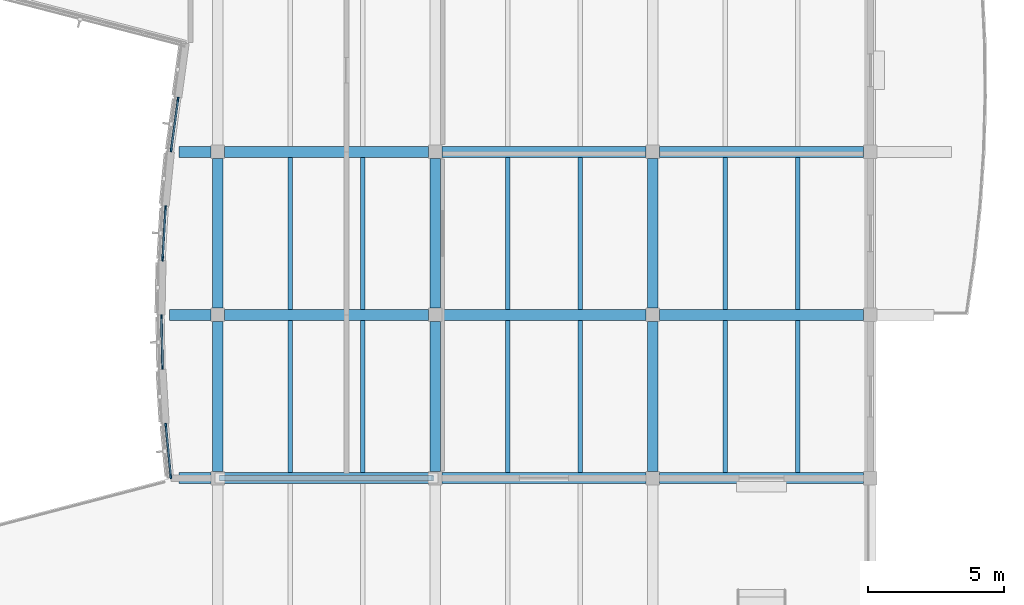
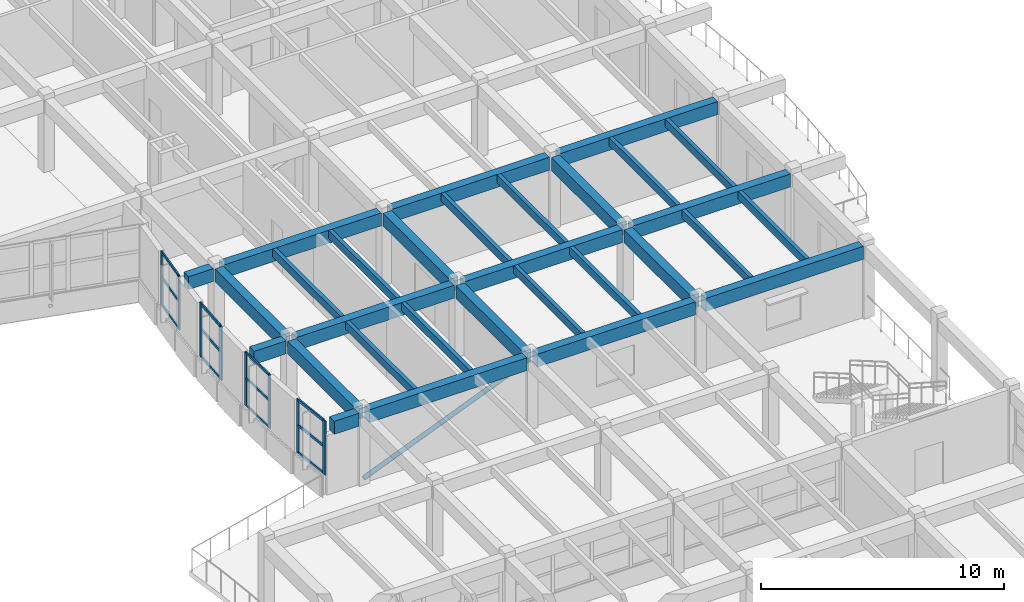
# One storey, part 9 of 89: 30 beams, 21 members, 4 elements without a shape of their own.
"""IFC4 building model written with IfcOpenShell, lengths in metres."""

from ifc_helpers import new_model, si_unit, direction, frame, origin, origin_2d, place, context, subcontext, project, spatial, rectangle, hollow_circle, extrude, material, layer, layer_set, material_profile, profile_set, type_object, element, aggregate, save


model = new_model("IFC4")

# Units and contexts
model_context = context("Model", 3, precision=1e-05, world=origin(), true_north=direction((0.0, 1.0)))
body_context = subcontext(model_context, "Body", "Model", "MODEL_VIEW")
ifc_project = project(units=[si_unit("LENGTHUNIT", "METRE"), si_unit("AREAUNIT", "SQUARE_METRE"), si_unit("VOLUMEUNIT", "CUBIC_METRE"), si_unit("PLANEANGLEUNIT", "RADIAN"), si_unit("MASSUNIT", "GRAM", prefix="KILO")], contexts=[model_context])

# Site, building, storey
site_placement = place(None, origin())
site = spatial("IfcSite", under=ifc_project, at=site_placement, CompositionType="ELEMENT")
building_placement = place(site_placement, origin())
building = spatial("IfcBuilding", under=site, at=building_placement, Name="Tonlespit Floodbar School", CompositionType="ELEMENT")
storey_placement = place(building_placement, frame((0.0, 0.0, 4.5)))
storey = spatial("IfcBuildingStorey", under=building, at=storey_placement, Name="L01", CompositionType="ELEMENT", Elevation=4.5)

# Beams
ifc_material_1 = material(Name="Concrete C40/50", Category="concrete")
ifc_material_profile_1 = material_profile(ifc_material_1, rectangle(XDim=0.39990234375, YDim=0.64990234375, at=origin_2d()), Name="RC 400x650")
ifc_profile_set_1 = profile_set([ifc_material_profile_1], Name="Concrete C40/50")
beam_type_1 = type_object("IfcBeamType", Name="Beam_RC_400x650", PredefinedType="BEAM", material=ifc_profile_set_1)
for number, where, z_axis, x_axis, name in (
    (1, (12.25, 38.0, 3.322998046875), (1.0, 0.0, 0.0), (0.0, 1.0, 0.0), "L01 girder 0562"),
    (2, (20.25, 38.0, 3.322998046875), (1.0, 0.0, 0.0), (0.0, 1.0, 0.0), "L01 girder 0563"),
    (3, (28.25, 38.0, 3.322998046875), (1.0, 0.0, 0.0), (0.0, 1.0, 0.0), "L01 girder 0564"),
    (4, (12.25, 44.0, 3.322998046875), (1.0, 0.0, 0.0), (0.0, 1.0, 0.0), "L01 girder 0565"),
    (5, (20.25, 44.0, 3.322998046875), (1.0, 0.0, 0.0), (0.0, 1.0, 0.0), "L01 girder 0566"),
    (6, (28.25, 44.0, 3.322998046875), (1.0, 0.0, 0.0), (0.0, 1.0, 0.0), "L01 girder 0567"),
    (7, (12.25, 50.0, 3.324951171875), (1.0, 0.0, 0.0), (0.0, 1.0, 0.0), "L01 girder 0568"),
    (8, (20.25, 50.0, 3.324951171875), (1.0, 0.0, 0.0), (0.0, 1.0, 0.0), "L01 girder 0569"),
    (9, (28.25, 50.0, 3.324951171875), (1.0, 0.0, 0.0), (0.0, 1.0, 0.0), "L01 girder 0570"),
):
    element("IfcBeam", number, at=place(storey_placement, frame(where, z_axis=z_axis, x_axis=x_axis)), inside=storey, type_object=beam_type_1, Name=name, PredefinedType="BEAM", context=body_context, shape_type="SweptSolid", body=[
        extrude(rectangle(XDim=0.39990234375, YDim=0.64990234375, at=origin_2d()), origin(), (0.0, 0.0, 1.0), 7.5),
    ])
for number, where, z_axis, x_axis, name in (
    (10, (12.0, 38.25, 3.322998046875), (0.0, 1.0, 0.0), (-1.0, 0.0, 0.0), "L01 girder 0679"),
    (11, (12.0, 44.25, 3.324951171875), (0.0, 1.0, 0.0), (-1.0, 0.0, 0.0), "L01 girder 0680"),
    (12, (20.0, 38.25, 3.322998046875), (0.0, 1.0, 0.0), (-1.0, 0.0, 0.0), "L01 girder 0692"),
    (13, (20.0, 44.25, 3.324951171875), (0.0, 1.0, 0.0), (-1.0, 0.0, 0.0), "L01 girder 0693"),
    (14, (28.0, 38.25, 3.322998046875), (0.0, 1.0, 0.0), (-1.0, 0.0, 0.0), "L01 girder 0705"),
    (15, (28.0, 44.25, 3.324951171875), (0.0, 1.0, 0.0), (-1.0, 0.0, 0.0), "L01 girder 0706"),
):
    element("IfcBeam", number, at=place(storey_placement, frame(where, z_axis=z_axis, x_axis=x_axis)), inside=storey, type_object=beam_type_1, Name=name, PredefinedType="BEAM", context=body_context, shape_type="SweptSolid", body=[
        extrude(rectangle(XDim=0.39990234375, YDim=0.64990234375, at=origin_2d()), origin(), (0.0, 0.0, 1.0), 5.5),
    ])
beam_1_placement = place(storey_placement, frame((11.75, 38.0, 3.324951171875), z_axis=(-1.0, 0.0, 0.0), x_axis=(0.0, -1.0, 0.0)))
element("IfcBeam", 16, at=beam_1_placement, inside=storey, type_object=beam_type_1, Name="L01 west street wave cantilever bracket", PredefinedType="BEAM", context=body_context, shape_type="SweptSolid", body=[
    extrude(rectangle(XDim=0.39990234375, YDim=0.64990234375, at=origin_2d()), origin(), (0.0, 0.0, 1.0), 1.171875),
])
beam_2_placement = place(storey_placement, frame((11.75, 44.0, 3.324951171875), z_axis=(-1.0, 0.0, 0.0), x_axis=(0.0, -1.0, 0.0)))
element("IfcBeam", 17, at=beam_2_placement, inside=storey, type_object=beam_type_1, Name="L01 west street wave cantilever bracket", PredefinedType="BEAM", context=body_context, shape_type="SweptSolid", body=[
    extrude(rectangle(XDim=0.39990234375, YDim=0.64990234375, at=origin_2d()), origin(), (0.0, 0.0, 1.0), 1.51904296875),
])
beam_3_placement = place(storey_placement, frame((11.75, 50.0, 3.324951171875), z_axis=(-1.0, 0.0, 0.0), x_axis=(0.0, -1.0, 0.0)))
element("IfcBeam", 18, at=beam_3_placement, inside=storey, type_object=beam_type_1, Name="L01 west street wave cantilever bracket", PredefinedType="BEAM", context=body_context, shape_type="SweptSolid", body=[
    extrude(rectangle(XDim=0.39990234375, YDim=0.64990234375, at=origin_2d()), origin(), (0.0, 0.0, 1.0), 1.171875),
])

# Member
ifc_material_2 = material(Name="Steel S355", Category="steel")
ifc_material_profile_2 = material_profile(ifc_material_2, hollow_circle(Radius=0.109619140625, WallThickness=0.008056640625, at=origin_2d()), Name="CHS 219.1x8")
ifc_profile_set_2 = profile_set([ifc_material_profile_2], Name="Steel S355")
member_type_1 = type_object("IfcMemberType", Name="Brace_Ext_CHS219", PredefinedType="BRACE", material=ifc_profile_set_2)
member_1_placement = place(storey_placement, frame((12.080078125, 38.0, 0.14990234375), z_axis=(0.925836938306, 0.0, 0.377923224568), x_axis=(0.0, 1.0, 0.0)))
element("IfcMember", 19, at=member_1_placement, inside=storey, type_object=member_type_1, Name="L01 exposed deconstructivist lateral brace 3", PredefinedType="BRACE", context=body_context, shape_type="SweptSolid", body=[
    extrude(hollow_circle(Radius=0.109619140625, WallThickness=0.008056640625, at=origin_2d()), origin(), (0.0, 0.0, 1.0), 8.4677734375),
])

# Curtain wall, members
ifc_material_3 = material(Name="Anodised Aluminium", Category="aluminium")
ifc_layer_1 = layer(ifc_material_3, 0.159912109375)
ifc_layer_set_1 = layer_set([ifc_layer_1], Name="Anodised Aluminium")
curtain_wall_type_1 = type_object("IfcCurtainWallType", Name="CurtainWall_1900x2700", PredefinedType="NOTDEFINED", material=ifc_layer_set_1)
curtain_wall_1_placement = place(storey_placement, origin())
curtain_wall_1 = element("IfcCurtainWall", 20, at=curtain_wall_1_placement, inside=storey, type_object=curtain_wall_type_1, Name="L01 unitised curtain wall 0268", PredefinedType="NOTDEFINED")
ifc_material_profile_3 = material_profile(ifc_material_3, rectangle(XDim=0.06494140625, YDim=0.14990234375, at=origin_2d()), Name="ALU M65x150")
ifc_profile_set_3 = profile_set([ifc_material_profile_3], Name="Anodised Aluminium")
member_type_2 = type_object("IfcMemberType", Name="CW_Mullion_65x150", PredefinedType="MULLION", material=ifc_profile_set_3)
member_2_placement = place(storey_placement, frame((9.968017578125, 42.072509765625, 0.949951171875), z_axis=(0.0, 0.0, 1.0), x_axis=(-0.999815370969, -0.019215201653, 0.0)))
member_2 = element("IfcMember", 21, at=member_2_placement, type_object=member_type_2, Name="CW-05 mullion 1", PredefinedType="MULLION", context=body_context, shape_type="SweptSolid", body=[
    extrude(rectangle(XDim=0.06494140625, YDim=0.14990234375, at=origin_2d()), origin(), (0.0, 0.0, 1.0), 2.699951171875),
])
member_3_placement = place(storey_placement, frame((9.932373046875, 43.927490234375, 0.949951171875), z_axis=(0.0, 0.0, 1.0), x_axis=(-0.999815370969, -0.019215201653, 0.0)))
member_3 = element("IfcMember", 22, at=member_3_placement, type_object=member_type_2, Name="CW-05 mullion 2", PredefinedType="MULLION", context=body_context, shape_type="SweptSolid", body=[
    extrude(rectangle(XDim=0.06494140625, YDim=0.14990234375, at=origin_2d()), origin(), (0.0, 0.0, 1.0), 2.699951171875),
])

ifc_layer_2 = layer(ifc_material_3, 0.159912109375)
ifc_layer_set_2 = layer_set([ifc_layer_2], Name="Anodised Aluminium")
curtain_wall_type_2 = type_object("IfcCurtainWallType", Name="CurtainWall_1950x2700", PredefinedType="NOTDEFINED", material=ifc_layer_set_2)
curtain_wall_2_placement = place(storey_placement, origin())
curtain_wall_2 = element("IfcCurtainWall", 23, at=curtain_wall_2_placement, inside=storey, type_object=curtain_wall_type_2, Name="L01 unitised curtain wall 0270", PredefinedType="NOTDEFINED")
member_4_placement = place(storey_placement, frame((10.2880859375, 50.07177734375, 0.949951171875), z_axis=(0.0, 0.0, 1.0), x_axis=(-0.990894096494, 0.134643564765, 0.0)))
member_4 = element("IfcMember", 24, at=member_4_placement, type_object=member_type_2, Name="CW-04 mullion 1", PredefinedType="MULLION", context=body_context, shape_type="SweptSolid", body=[
    extrude(rectangle(XDim=0.06494140625, YDim=0.14990234375, at=origin_2d()), origin(), (0.0, 0.0, 1.0), 2.699951171875),
])
member_5_placement = place(storey_placement, frame((10.540283203125, 51.92822265625, 0.949951171875), z_axis=(0.0, 0.0, 1.0), x_axis=(-0.990894096494, 0.134643564765, 0.0)))
member_5 = element("IfcMember", 25, at=member_5_placement, type_object=member_type_2, Name="CW-04 mullion 2", PredefinedType="MULLION", context=body_context, shape_type="SweptSolid", body=[
    extrude(rectangle(XDim=0.06494140625, YDim=0.14990234375, at=origin_2d()), origin(), (0.0, 0.0, 1.0), 2.699951171875),
])

curtain_wall_3_placement = place(storey_placement, origin())
curtain_wall_3 = element("IfcCurtainWall", 26, at=curtain_wall_3_placement, inside=storey, type_object=curtain_wall_type_2, Name="L01 unitised curtain wall 0267", PredefinedType="NOTDEFINED")
ifc_material_profile_4 = material_profile(ifc_material_3, rectangle(XDim=0.06494140625, YDim=0.179931640625, at=origin_2d()), Name="ALU M65x180")
ifc_profile_set_4 = profile_set([ifc_material_profile_4], Name="Anodised Aluminium")
member_type_3 = type_object("IfcMemberType", Name="CW_Mullion_65x180", PredefinedType="MULLION", material=ifc_profile_set_4)
member_6_placement = place(storey_placement, frame((10.271240234375, 38.072265625, 0.949951171875), z_axis=(0.0, 0.0, 1.0), x_axis=(-0.995362188546, -0.096198303585, 0.0)))
member_6 = element("IfcMember", 27, at=member_6_placement, type_object=member_type_3, Name="CW-04 mullion 1", PredefinedType="MULLION", context=body_context, shape_type="SweptSolid", body=[
    extrude(rectangle(XDim=0.06494140625, YDim=0.179931640625, at=origin_2d()), origin(), (0.0, 0.0, 1.0), 2.699951171875),
])
member_7_placement = place(storey_placement, frame((10.092041015625, 39.927734375, 0.949951171875), z_axis=(0.0, 0.0, 1.0), x_axis=(-0.995362188546, -0.096198303585, 0.0)))
member_7 = element("IfcMember", 28, at=member_7_placement, type_object=member_type_3, Name="CW-04 mullion 2", PredefinedType="MULLION", context=body_context, shape_type="SweptSolid", body=[
    extrude(rectangle(XDim=0.06494140625, YDim=0.179931640625, at=origin_2d()), origin(), (0.0, 0.0, 1.0), 2.699951171875),
])

curtain_wall_4_placement = place(storey_placement, origin())
curtain_wall_4 = element("IfcCurtainWall", 29, at=curtain_wall_4_placement, inside=storey, type_object=curtain_wall_type_1, Name="L01 unitised curtain wall 0269", PredefinedType="NOTDEFINED")
member_8_placement = place(storey_placement, frame((9.9736328125, 46.072265625, 0.949951171875), z_axis=(0.0, 0.0, 1.0), x_axis=(-0.998333381227, 0.057710137129, 0.0)))
member_8 = element("IfcMember", 30, at=member_8_placement, type_object=member_type_3, Name="CW-05 mullion 1", PredefinedType="MULLION", context=body_context, shape_type="SweptSolid", body=[
    extrude(rectangle(XDim=0.06494140625, YDim=0.179931640625, at=origin_2d()), origin(), (0.0, 0.0, 1.0), 2.699951171875),
])
member_9_placement = place(storey_placement, frame((10.080810546875, 47.927734375, 0.949951171875), z_axis=(0.0, 0.0, 1.0), x_axis=(-0.998333381227, 0.057710137129, 0.0)))
member_9 = element("IfcMember", 31, at=member_9_placement, type_object=member_type_3, Name="CW-05 mullion 2", PredefinedType="MULLION", context=body_context, shape_type="SweptSolid", body=[
    extrude(rectangle(XDim=0.06494140625, YDim=0.179931640625, at=origin_2d()), origin(), (0.0, 0.0, 1.0), 2.699951171875),
])

# Member
ifc_material_profile_5 = material_profile(ifc_material_3, rectangle(XDim=0.06494140625, YDim=0.1201171875, at=origin_2d()), Name="ALU T65x120")
ifc_profile_set_5 = profile_set([ifc_material_profile_5], Name="Anodised Aluminium")
member_type_4 = type_object("IfcMemberType", Name="CW_Transom_65x120", PredefinedType="USERDEFINED", material=ifc_profile_set_5)
member_10_placement = place(storey_placement, frame((9.96728515625, 42.10498046875, 0.982421875), z_axis=(-0.019227214231, 0.99981514003, 0.0), x_axis=(-0.99981514003, -0.019227214231, 0.0)))
member_10 = element("IfcMember", 32, at=member_10_placement, type_object=member_type_4, Name="CW-05 transom 1.1", ObjectType="TRANSOM", PredefinedType="USERDEFINED", context=body_context, shape_type="SweptSolid", body=[
    extrude(rectangle(XDim=0.06494140625, YDim=0.1201171875, at=origin_2d()), origin(), (0.0, 0.0, 1.0), 1.790283203125),
])

member_11_placement = place(storey_placement, frame((9.96728515625, 42.10498046875, 2.35400390625), z_axis=(-0.019227214231, 0.99981514003, 0.0), x_axis=(-0.99981514003, -0.019227214231, 0.0)))
member_11 = element("IfcMember", 33, at=member_11_placement, type_object=member_type_4, Name="CW-05 transom 1.2", ObjectType="TRANSOM", PredefinedType="USERDEFINED", context=body_context, shape_type="SweptSolid", body=[
    extrude(rectangle(XDim=0.06494140625, YDim=0.1201171875, at=origin_2d()), origin(), (0.0, 0.0, 1.0), 1.790283203125),
])

member_12_placement = place(storey_placement, frame((9.96728515625, 42.10498046875, 3.617431640625), z_axis=(-0.019227214231, 0.99981514003, 0.0), x_axis=(-0.99981514003, -0.019227214231, 0.0)))
member_12 = element("IfcMember", 34, at=member_12_placement, type_object=member_type_4, Name="CW-05 transom 1.3", ObjectType="TRANSOM", PredefinedType="USERDEFINED", context=body_context, shape_type="SweptSolid", body=[
    extrude(rectangle(XDim=0.06494140625, YDim=0.1201171875, at=origin_2d()), origin(), (0.0, 0.0, 1.0), 1.790283203125),
])

aggregate(curtain_wall_1, [member_2, member_3, member_10, member_11, member_12])

member_13_placement = place(storey_placement, frame((10.292236328125, 50.10400390625, 0.982421875), z_axis=(0.134727643439, 0.990882668177, 0.0), x_axis=(-0.990882668177, 0.134727643439, 0.0)))
member_13 = element("IfcMember", 35, at=member_13_placement, type_object=member_type_4, Name="CW-04 transom 1.1", ObjectType="TRANSOM", PredefinedType="USERDEFINED", context=body_context, shape_type="SweptSolid", body=[
    extrude(rectangle(XDim=0.06494140625, YDim=0.1201171875, at=origin_2d()), origin(), (0.0, 0.0, 1.0), 1.80859375),
])

member_14_placement = place(storey_placement, frame((10.292236328125, 50.10400390625, 2.35400390625), z_axis=(0.134727643439, 0.990882668177, 0.0), x_axis=(-0.990882668177, 0.134727643439, 0.0)))
member_14 = element("IfcMember", 36, at=member_14_placement, type_object=member_type_4, Name="CW-04 transom 1.2", ObjectType="TRANSOM", PredefinedType="USERDEFINED", context=body_context, shape_type="SweptSolid", body=[
    extrude(rectangle(XDim=0.06494140625, YDim=0.1201171875, at=origin_2d()), origin(), (0.0, 0.0, 1.0), 1.80859375),
])

member_15_placement = place(storey_placement, frame((10.292236328125, 50.10400390625, 3.617431640625), z_axis=(0.134727643439, 0.990882668177, 0.0), x_axis=(-0.990882668177, 0.134727643439, 0.0)))
member_15 = element("IfcMember", 37, at=member_15_placement, type_object=member_type_4, Name="CW-04 transom 1.3", ObjectType="TRANSOM", PredefinedType="USERDEFINED", context=body_context, shape_type="SweptSolid", body=[
    extrude(rectangle(XDim=0.06494140625, YDim=0.1201171875, at=origin_2d()), origin(), (0.0, 0.0, 1.0), 1.80859375),
])

aggregate(curtain_wall_2, [member_4, member_5, member_13, member_14, member_15])

ifc_material_profile_6 = material_profile(ifc_material_3, rectangle(XDim=0.06494140625, YDim=0.139892578125, at=origin_2d()), Name="ALU T65x140")
ifc_profile_set_6 = profile_set([ifc_material_profile_6], Name="Anodised Aluminium")
member_type_5 = type_object("IfcMemberType", Name="CW_Transom_65x140", PredefinedType="USERDEFINED", material=ifc_profile_set_6)
member_16_placement = place(storey_placement, frame((10.26806640625, 38.1044921875, 0.982421875), z_axis=(-0.096198443578, 0.995362175016, 0.0), x_axis=(-0.995362175016, -0.096198443578, 0.0)))
member_16 = element("IfcMember", 38, at=member_16_placement, type_object=member_type_5, Name="CW-04 transom 1.1", ObjectType="TRANSOM", PredefinedType="USERDEFINED", context=body_context, shape_type="SweptSolid", body=[
    extrude(rectangle(XDim=0.06494140625, YDim=0.139892578125, at=origin_2d()), origin(), (0.0, 0.0, 1.0), 1.79931640625),
])

member_17_placement = place(storey_placement, frame((10.26806640625, 38.1044921875, 2.35400390625), z_axis=(-0.096198443578, 0.995362175016, 0.0), x_axis=(-0.995362175016, -0.096198443578, 0.0)))
member_17 = element("IfcMember", 39, at=member_17_placement, type_object=member_type_5, Name="CW-04 transom 1.2", ObjectType="TRANSOM", PredefinedType="USERDEFINED", context=body_context, shape_type="SweptSolid", body=[
    extrude(rectangle(XDim=0.06494140625, YDim=0.139892578125, at=origin_2d()), origin(), (0.0, 0.0, 1.0), 1.79931640625),
])

member_18_placement = place(storey_placement, frame((10.26806640625, 38.1044921875, 3.617431640625), z_axis=(-0.096198443578, 0.995362175016, 0.0), x_axis=(-0.995362175016, -0.096198443578, 0.0)))
member_18 = element("IfcMember", 40, at=member_18_placement, type_object=member_type_5, Name="CW-04 transom 1.3", ObjectType="TRANSOM", PredefinedType="USERDEFINED", context=body_context, shape_type="SweptSolid", body=[
    extrude(rectangle(XDim=0.06494140625, YDim=0.139892578125, at=origin_2d()), origin(), (0.0, 0.0, 1.0), 1.79931640625),
])

aggregate(curtain_wall_3, [member_6, member_7, member_16, member_17, member_18])

member_19_placement = place(storey_placement, frame((9.975341796875, 46.104736328125, 0.982421875), z_axis=(0.057716552548, 0.998333010354, 0.0), x_axis=(-0.998333010354, 0.057716552548, 0.0)))
member_19 = element("IfcMember", 41, at=member_19_placement, type_object=member_type_5, Name="CW-05 transom 1.1", ObjectType="TRANSOM", PredefinedType="USERDEFINED", context=body_context, shape_type="SweptSolid", body=[
    extrude(rectangle(XDim=0.06494140625, YDim=0.139892578125, at=origin_2d()), origin(), (0.0, 0.0, 1.0), 1.79345703125),
])

member_20_placement = place(storey_placement, frame((9.975341796875, 46.104736328125, 2.35400390625), z_axis=(0.057716552548, 0.998333010354, 0.0), x_axis=(-0.998333010354, 0.057716552548, 0.0)))
member_20 = element("IfcMember", 42, at=member_20_placement, type_object=member_type_5, Name="CW-05 transom 1.2", ObjectType="TRANSOM", PredefinedType="USERDEFINED", context=body_context, shape_type="SweptSolid", body=[
    extrude(rectangle(XDim=0.06494140625, YDim=0.139892578125, at=origin_2d()), origin(), (0.0, 0.0, 1.0), 1.79345703125),
])

member_21_placement = place(storey_placement, frame((9.975341796875, 46.104736328125, 3.617431640625), z_axis=(0.057716552548, 0.998333010354, 0.0), x_axis=(-0.998333010354, 0.057716552548, 0.0)))
member_21 = element("IfcMember", 43, at=member_21_placement, type_object=member_type_5, Name="CW-05 transom 1.3", ObjectType="TRANSOM", PredefinedType="USERDEFINED", context=body_context, shape_type="SweptSolid", body=[
    extrude(rectangle(XDim=0.06494140625, YDim=0.139892578125, at=origin_2d()), origin(), (0.0, 0.0, 1.0), 1.79345703125),
])

aggregate(curtain_wall_4, [member_8, member_9, member_19, member_20, member_21])

# Beams
ifc_material_4 = material(Name="Glulam GL28h", Category="wood")
ifc_material_profile_7 = material_profile(ifc_material_4, rectangle(XDim=0.179931640625, YDim=0.39990234375, at=origin_2d()), Name="GL 180x400")
ifc_profile_set_7 = profile_set([ifc_material_profile_7], Name="Glulam GL28h")
beam_type_2 = type_object("IfcBeamType", Name="Joist_GL_180x400", PredefinedType="JOIST", material=ifc_profile_set_7)
for number, where, z_axis, x_axis, name in (
    (44, (14.666748046875, 38.199951171875, 3.447998046875), (0.0, 1.0, 0.0), (-1.0, 0.0, 0.0), "L01 secondary joist 0818"),
    (45, (17.333251953125, 38.199951171875, 3.447998046875), (0.0, 1.0, 0.0), (-1.0, 0.0, 0.0), "L01 secondary joist 0819"),
    (46, (22.666748046875, 38.199951171875, 3.447998046875), (0.0, 1.0, 0.0), (-1.0, 0.0, 0.0), "L01 secondary joist 0820"),
    (47, (25.333251953125, 38.199951171875, 3.447998046875), (0.0, 1.0, 0.0), (-1.0, 0.0, 0.0), "L01 secondary joist 0821"),
    (48, (30.666748046875, 38.199951171875, 3.447998046875), (0.0, 1.0, 0.0), (-1.0, 0.0, 0.0), "L01 secondary joist 0822"),
    (49, (33.333251953125, 38.199951171875, 3.447998046875), (0.0, 1.0, 0.0), (-1.0, 0.0, 0.0), "L01 secondary joist 0823"),
    (50, (14.666748046875, 44.199951171875, 3.447998046875), (0.0, 1.0, 0.0), (-1.0, 0.0, 0.0), "L01 secondary joist 0824"),
    (51, (17.333251953125, 44.199951171875, 3.447998046875), (0.0, 1.0, 0.0), (-1.0, 0.0, 0.0), "L01 secondary joist 0825"),
    (52, (22.666748046875, 44.199951171875, 3.447998046875), (0.0, 1.0, 0.0), (-1.0, 0.0, 0.0), "L01 secondary joist 0826"),
    (53, (25.333251953125, 44.199951171875, 3.447998046875), (0.0, 1.0, 0.0), (-1.0, 0.0, 0.0), "L01 secondary joist 0827"),
    (54, (30.666748046875, 44.199951171875, 3.447998046875), (0.0, 1.0, 0.0), (-1.0, 0.0, 0.0), "L01 secondary joist 0828"),
    (55, (33.333251953125, 44.199951171875, 3.447998046875), (0.0, 1.0, 0.0), (-1.0, 0.0, 0.0), "L01 secondary joist 0829"),
):
    element("IfcBeam", number, at=place(storey_placement, frame(where, z_axis=z_axis, x_axis=x_axis)), inside=storey, type_object=beam_type_2, Name=name, PredefinedType="JOIST", context=body_context, shape_type="SweptSolid", body=[
        extrude(rectangle(XDim=0.179931640625, YDim=0.39990234375, at=origin_2d()), origin(), (0.0, 0.0, 1.0), 5.60009765625),
    ])

save(model, "model.ifc")
